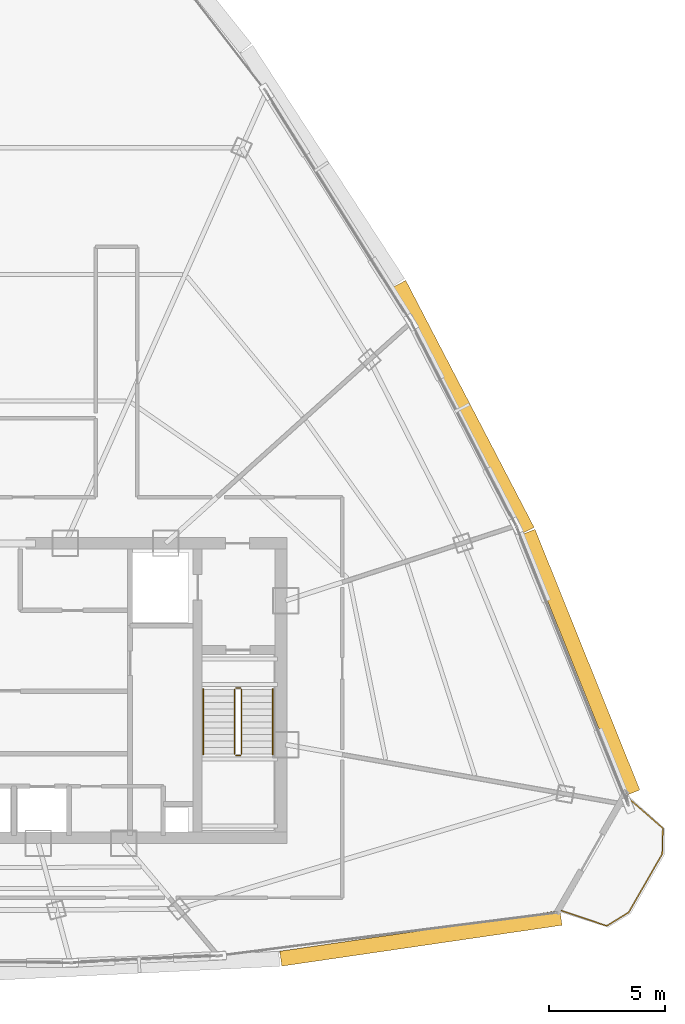
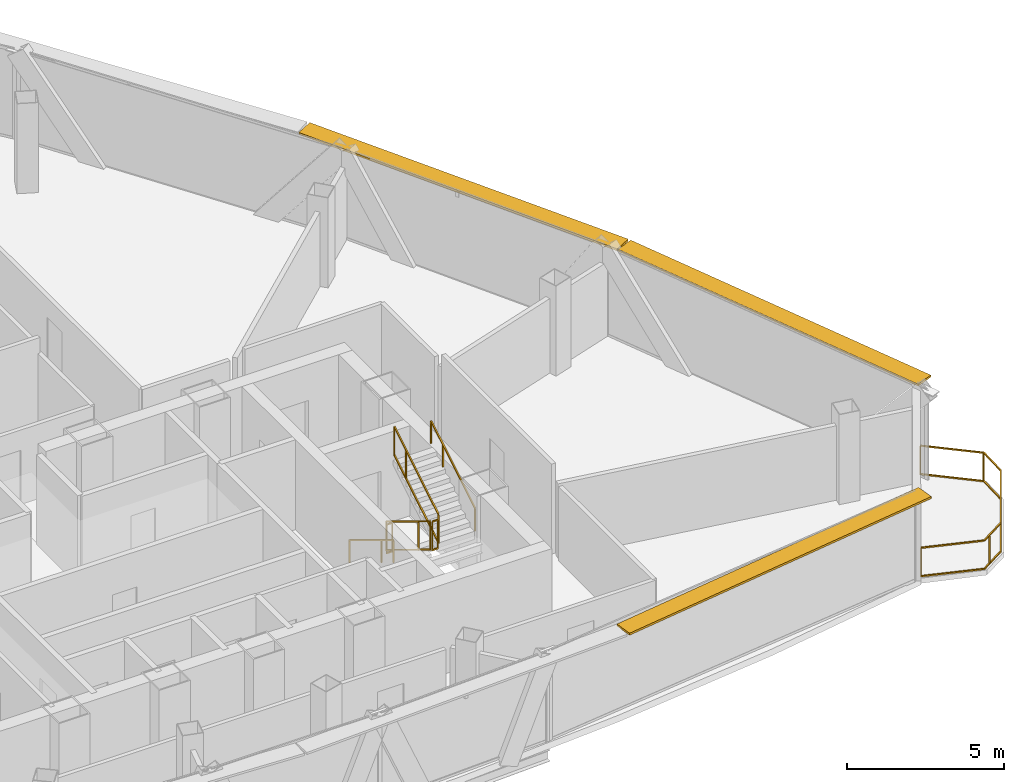
# One storey, part 29 of 30: 7 railings, 3 shading devices.
"""IFC4 building model written with IfcOpenShell, lengths in metres."""

from ifc_helpers import new_model, si_unit, direction, frame, origin, origin_2d, place, context, subcontext, project, spatial, rectangle, extrude, source, transform, mapped, material, layer, layer_set, type_object, element, save


model = new_model("IFC4")

# Units and contexts
model_context = context("Model", 3, precision=1e-05, world=origin(), true_north=direction((0.0, 1.0)))
body_context = subcontext(model_context, "Body", "Model", "MODEL_VIEW")
ifc_project = project(units=[si_unit("LENGTHUNIT", "METRE"), si_unit("AREAUNIT", "SQUARE_METRE"), si_unit("VOLUMEUNIT", "CUBIC_METRE"), si_unit("PLANEANGLEUNIT", "RADIAN"), si_unit("MASSUNIT", "GRAM", prefix="KILO"), si_unit("THERMODYNAMICTEMPERATUREUNIT", "KELVIN"), si_unit("POWERUNIT", "WATT")], contexts=[model_context])

# Site, building, storey
site_placement = place(None, origin())
site = spatial("IfcSite", under=ifc_project, at=site_placement, CompositionType="ELEMENT")
building_placement = place(site_placement, origin())
building = spatial("IfcBuilding", under=site, at=building_placement, Name="Yunzhuo Pagoda Commons", CompositionType="ELEMENT")
storey_placement = place(building_placement, frame((0.0, 0.0, 348.010009765625)))
storey = spatial("IfcBuildingStorey", under=building, at=storey_placement, Name="L87", CompositionType="ELEMENT", Elevation=348.010009765625)

# Railings
ifc_material = material(Name="Anodized aluminium 6063-T6", Category="aluminium")
railing_type_1 = type_object("IfcRailingType", Name="GR-ST2 Stair Well Guardrail 1160", PredefinedType="GUARDRAIL", material=ifc_material)
railing_1_placement = place(storey_placement, frame((58.199951171875, 33.89990234375, 0.17041015625)))
element("IfcRailing", 1, at=railing_1_placement, inside=storey, type_object=railing_type_1, Name="L87 ST2 stair guard 1", PredefinedType="GUARDRAIL", context=body_context, shape_type="SweptSolid", body=[
    extrude(rectangle(XDim=0.048095703125, YDim=0.048095703125, at=origin_2d()), frame((0.0, 0.0, 1.1259765625), z_axis=(0.0, -0.854149651119, 0.520027281489), x_axis=(1.0, 0.0, 0.0)), (0.0, 0.0, 1.0), 3.27783203125),
    extrude(rectangle(XDim=0.048095703125, YDim=0.048095703125, at=origin_2d()), frame((0.0, 0.0, 0.02392578125), z_axis=(0.0, -0.854149651119, 0.520027281489), x_axis=(1.0, 0.0, 0.0)), (0.0, 0.0, 1.0), 3.27783203125),
    extrude(rectangle(XDim=0.0419921875, YDim=0.0419921875, at=origin_2d()), origin(), (0.0, 0.0, 1.0), 1.101806640625),
    extrude(rectangle(XDim=0.0419921875, YDim=0.0419921875, at=origin_2d()), frame((0.0, -2.050048828125, 1.248046875)), (0.0, 0.0, 1.0), 1.101806640625),
    extrude(rectangle(XDim=0.0419921875, YDim=0.0419921875, at=origin_2d()), frame((0.0, -2.7998046875, 1.70458984375)), (0.0, 0.0, 1.0), 1.101806640625),
])
railing_2_placement = place(storey_placement, frame((58.25, 31.050048828125, 1.875)))
element("IfcRailing", 2, at=railing_2_placement, inside=storey, type_object=railing_type_1, Name="L87 ST2 stair guard 2", PredefinedType="GUARDRAIL", context=body_context, shape_type="SweptSolid", body=[
    extrude(rectangle(XDim=0.048095703125, YDim=0.048095703125, at=origin_2d()), frame((0.0, 0.0, 1.1259765625), z_axis=(1.0, 0.0, 0.0), x_axis=(0.0, 1.0, 0.0)), (0.0, 0.0, 1.0), 0.199951171875),
    extrude(rectangle(XDim=0.048095703125, YDim=0.048095703125, at=origin_2d()), frame((0.0, 0.0, 0.02392578125), z_axis=(1.0, 0.0, 0.0), x_axis=(0.0, 1.0, 0.0)), (0.0, 0.0, 1.0), 0.199951171875),
    extrude(rectangle(XDim=0.0419921875, YDim=0.0419921875, at=origin_2d()), origin(), (0.0, 0.0, 1.0), 1.101806640625),
    extrude(rectangle(XDim=0.0419921875, YDim=0.0419921875, at=origin_2d()), frame((0.199951171875, 0.0, 0.0)), (0.0, 0.0, 1.0), 1.101806640625),
])
railing_3_placement = place(storey_placement, frame((58.5, 31.10009765625, 2.04541015625)))
element("IfcRailing", 3, at=railing_3_placement, inside=storey, type_object=railing_type_1, Name="L87 ST2 stair guard 3", PredefinedType="GUARDRAIL", context=body_context, shape_type="SweptSolid", body=[
    extrude(rectangle(XDim=0.048095703125, YDim=0.048095703125, at=origin_2d()), frame((0.0, 0.0, 1.1259765625), z_axis=(0.0, 0.854149651119, 0.520027281489), x_axis=(-1.0, 0.0, 0.0)), (0.0, 0.0, 1.0), 3.27783203125),
    extrude(rectangle(XDim=0.048095703125, YDim=0.048095703125, at=origin_2d()), frame((0.0, 0.0, 0.02392578125), z_axis=(0.0, 0.854149651119, 0.520027281489), x_axis=(-1.0, 0.0, 0.0)), (0.0, 0.0, 1.0), 3.27783203125),
    extrude(rectangle(XDim=0.0419921875, YDim=0.0419921875, at=origin_2d()), origin(), (0.0, 0.0, 1.0), 1.101806640625),
    extrude(rectangle(XDim=0.0419921875, YDim=0.0419921875, at=origin_2d()), frame((0.0, 2.050048828125, 1.248046875)), (0.0, 0.0, 1.0), 1.101806640625),
    extrude(rectangle(XDim=0.0419921875, YDim=0.0419921875, at=origin_2d()), frame((0.0, 2.7998046875, 1.70458984375)), (0.0, 0.0, 1.0), 1.101806640625),
])
railing_4_placement = place(storey_placement, frame((58.25, 33.949951171875, 0.0)))
element("IfcRailing", 4, at=railing_4_placement, inside=storey, type_object=railing_type_1, Name="L87 ST2 stair guard 4", PredefinedType="GUARDRAIL", context=body_context, shape_type="SweptSolid", body=[
    extrude(rectangle(XDim=0.048095703125, YDim=0.048095703125, at=origin_2d()), frame((0.0, 0.0, 1.1259765625), z_axis=(1.0, 0.0, 0.0), x_axis=(0.0, 1.0, 0.0)), (0.0, 0.0, 1.0), 0.199951171875),
    extrude(rectangle(XDim=0.048095703125, YDim=0.048095703125, at=origin_2d()), frame((0.0, 0.0, 0.02392578125), z_axis=(1.0, 0.0, 0.0), x_axis=(0.0, 1.0, 0.0)), (0.0, 0.0, 1.0), 0.199951171875),
    extrude(rectangle(XDim=0.0419921875, YDim=0.0419921875, at=origin_2d()), origin(), (0.0, 0.0, 1.0), 1.101806640625),
    extrude(rectangle(XDim=0.0419921875, YDim=0.0419921875, at=origin_2d()), frame((0.199951171875, 0.0, 0.0)), (0.0, 0.0, 1.0), 1.101806640625),
])
railing_type_2 = type_object("IfcRailingType", Name="HR-ST2 Stair Handrail 900", PredefinedType="HANDRAIL", material=ifc_material)
railing_5_placement = place(storey_placement, frame((56.85009765625, 33.89990234375, 0.17041015625)))
element("IfcRailing", 5, at=railing_5_placement, inside=storey, type_object=railing_type_2, Name="L87 ST2 stair handrail 1", PredefinedType="HANDRAIL", context=body_context, shape_type="SweptSolid", body=[
    extrude(rectangle(XDim=0.048095703125, YDim=0.048095703125, at=origin_2d()), frame((0.0, 0.0, 0.8759765625), z_axis=(0.0, -0.854149651119, 0.520027281489), x_axis=(1.0, 0.0, 0.0)), (0.0, 0.0, 1.0), 3.27783203125),
    extrude(rectangle(XDim=0.0419921875, YDim=0.0419921875, at=origin_2d()), origin(), (0.0, 0.0, 1.0), 0.851806640625),
    extrude(rectangle(XDim=0.0419921875, YDim=0.0419921875, at=origin_2d()), frame((0.0, -2.050048828125, 1.248046875)), (0.0, 0.0, 1.0), 0.851806640625),
    extrude(rectangle(XDim=0.0419921875, YDim=0.0419921875, at=origin_2d()), frame((0.0, -2.7998046875, 1.70458984375)), (0.0, 0.0, 1.0), 0.851806640625),
])
railing_6_placement = place(storey_placement, frame((59.85009765625, 31.10009765625, 2.04541015625)))
element("IfcRailing", 6, at=railing_6_placement, inside=storey, type_object=railing_type_2, Name="L87 ST2 stair handrail 2", PredefinedType="HANDRAIL", context=body_context, shape_type="SweptSolid", body=[
    extrude(rectangle(XDim=0.048095703125, YDim=0.048095703125, at=origin_2d()), frame((0.0, 0.0, 0.8759765625), z_axis=(0.0, 0.854149651119, 0.520027281489), x_axis=(-1.0, 0.0, 0.0)), (0.0, 0.0, 1.0), 3.27783203125),
    extrude(rectangle(XDim=0.0419921875, YDim=0.0419921875, at=origin_2d()), origin(), (0.0, 0.0, 1.0), 0.851806640625),
    extrude(rectangle(XDim=0.0419921875, YDim=0.0419921875, at=origin_2d()), frame((0.0, 2.050048828125, 1.248046875)), (0.0, 0.0, 1.0), 0.851806640625),
    extrude(rectangle(XDim=0.0419921875, YDim=0.0419921875, at=origin_2d()), frame((0.0, 2.7998046875, 1.70458984375)), (0.0, 0.0, 1.0), 0.851806640625),
])
railing_type_3 = type_object("IfcRailingType", Name="RL-BAL1 Exterior Terrace & Balcony Balustrade 1150", PredefinedType="BALUSTRADE", material=ifc_material)
railing_7_placement = place(storey_placement, frame((72.31298828125, 24.346435546875, 0.0)))
element("IfcRailing", 7, at=railing_7_placement, inside=storey, type_object=railing_type_3, Name="L87 corner balcony balustrade V2", PredefinedType="BALUSTRADE", context=body_context, shape_type="SweptSolid", body=[
    extrude(rectangle(XDim=0.048095703125, YDim=0.048095703125, at=origin_2d()), frame((0.0, 0.0, 1.1259765625), z_axis=(0.947419062147, -0.319995501031, 0.0), x_axis=(0.319995501031, 0.947419062147, 0.0)), (0.0, 0.0, 1.0), 2.05908203125),
    extrude(rectangle(XDim=0.048095703125, YDim=0.048095703125, at=origin_2d()), frame((0.0, 0.0, 0.02392578125), z_axis=(0.947419062147, -0.319995501031, 0.0), x_axis=(0.319995501031, 0.947419062147, 0.0)), (0.0, 0.0, 1.0), 2.05908203125),
    extrude(rectangle(XDim=0.048095703125, YDim=0.048095703125, at=origin_2d()), frame((1.950927734375, -0.658935546875, 1.1259765625), z_axis=(0.851499755437, 0.524355000444, 0.0), x_axis=(-0.524355000444, 0.851499755437, 0.0)), (0.0, 0.0, 1.0), 1.1103515625),
    extrude(rectangle(XDim=0.048095703125, YDim=0.048095703125, at=origin_2d()), frame((1.950927734375, -0.658935546875, 0.02392578125), z_axis=(0.851499755437, 0.524355000444, 0.0), x_axis=(-0.524355000444, 0.851499755437, 0.0)), (0.0, 0.0, 1.0), 1.1103515625),
    extrude(rectangle(XDim=0.048095703125, YDim=0.048095703125, at=origin_2d()), frame((2.896484375, -0.07666015625, 1.1259765625), z_axis=(0.497899056357, 0.867234991037, 0.0), x_axis=(-0.867234991037, 0.497899056357, 0.0)), (0.0, 0.0, 1.0), 2.9111328125),
    extrude(rectangle(XDim=0.048095703125, YDim=0.048095703125, at=origin_2d()), frame((2.896484375, -0.07666015625, 0.02392578125), z_axis=(0.497899056357, 0.867234991037, 0.0), x_axis=(-0.867234991037, 0.497899056357, 0.0)), (0.0, 0.0, 1.0), 2.9111328125),
    extrude(rectangle(XDim=0.048095703125, YDim=0.048095703125, at=origin_2d()), frame((4.345947265625, 2.447998046875, 1.1259765625), z_axis=(0.023750447686, 0.999717918332, 0.0), x_axis=(-0.999717918332, 0.023750447686, 0.0)), (0.0, 0.0, 1.0), 1.110107421875),
    extrude(rectangle(XDim=0.048095703125, YDim=0.048095703125, at=origin_2d()), frame((4.345947265625, 2.447998046875, 0.02392578125), z_axis=(0.023750447686, 0.999717918332, 0.0), x_axis=(-0.999717918332, 0.023750447686, 0.0)), (0.0, 0.0, 1.0), 1.110107421875),
    extrude(rectangle(XDim=0.048095703125, YDim=0.048095703125, at=origin_2d()), frame((4.372314453125, 3.557861328125, 1.1259765625), z_axis=(-0.753984993137, 0.656891642605, 0.0), x_axis=(-0.656891642605, -0.753984993137, 0.0)), (0.0, 0.0, 1.0), 2.059326171875),
    extrude(rectangle(XDim=0.048095703125, YDim=0.048095703125, at=origin_2d()), frame((4.372314453125, 3.557861328125, 0.02392578125), z_axis=(-0.753984993137, 0.656891642605, 0.0), x_axis=(-0.656891642605, -0.753984993137, 0.0)), (0.0, 0.0, 1.0), 2.059326171875),
    extrude(rectangle(XDim=0.0419921875, YDim=0.0419921875, at=origin_2d()), origin(), (0.0, 0.0, 1.0), 1.101806640625),
    extrude(rectangle(XDim=0.0419921875, YDim=0.0419921875, at=origin_2d()), frame((2.2412109375, -0.480224609375, 0.0)), (0.0, 0.0, 1.0), 1.101806640625),
    extrude(rectangle(XDim=0.0419921875, YDim=0.0419921875, at=origin_2d()), frame((3.708251953125, 1.337158203125, 0.0)), (0.0, 0.0, 1.0), 1.101806640625),
    extrude(rectangle(XDim=0.0419921875, YDim=0.0419921875, at=origin_2d()), frame((4.365478515625, 3.563720703125, 0.0)), (0.0, 0.0, 1.0), 1.101806640625),
    extrude(rectangle(XDim=0.0419921875, YDim=0.0419921875, at=origin_2d()), frame((2.819580078125, 4.91064453125, 0.0)), (0.0, 0.0, 1.0), 1.101806640625),
])

# Shading devices
ifc_layer = layer(ifc_material, 0.080078125)
ifc_layer_set = layer_set([ifc_layer], Name="Anodized aluminium 6063-T6")
shading_device_type = type_object("IfcShadingDeviceType", Name="SH-SUN1 Pagoda Horizontal Sunshade Eave 650", PredefinedType="USERDEFINED", material=ifc_layer_set)
shared_shape_1 = source(origin(), body_context, "Body", "SweptSolid", [
    extrude(rectangle(XDim=12.22509765625, YDim=0.64990234375, at=origin_2d()), origin(), (0.0, 0.0, 1.0), 0.080078125),
])
shading_device_1_placement = place(storey_placement, frame((66.239501953125, 23.15380859375, 3.409912109375), z_axis=(0.0, 0.0, 1.0), x_axis=(0.989510666697, 0.144459823108, 0.0)))
element("IfcShadingDevice", 8, at=shading_device_1_placement, inside=storey, type_object=shading_device_type, Name="L87 horizontal pagoda sunshade eave F1.4", ObjectType="SUNSHADE", PredefinedType="USERDEFINED", context=body_context, shape_type="MappedRepresentation", body=[
    mapped(shared_shape_1, transform((0.0, 0.0, 0.0), scale=1.0)),
])
shared_shape_2 = source(origin(), body_context, "Body", "SweptSolid", [
    extrude(rectangle(XDim=12.126953125, YDim=0.64990234375, at=origin_2d()), origin(), (0.0, 0.0, 1.0), 0.080078125),
])
shading_device_2_placement = place(storey_placement, frame((73.1259765625, 35.060302734375, 3.409912109375), z_axis=(0.0, 0.0, 1.0), x_axis=(-0.373003976317, 0.927829743893, 0.0)))
element("IfcShadingDevice", 9, at=shading_device_2_placement, inside=storey, type_object=shading_device_type, Name="L87 horizontal pagoda sunshade eave F2.1", ObjectType="SUNSHADE", PredefinedType="USERDEFINED", context=body_context, shape_type="MappedRepresentation", body=[
    mapped(shared_shape_2, transform((0.0, 0.0, 0.0), scale=1.0)),
])
shared_shape_3 = source(origin(), body_context, "Body", "SweptSolid", [
    extrude(rectangle(XDim=12.01171875, YDim=0.64990234375, at=origin_2d()), origin(), (0.0, 0.0, 1.0), 0.080078125),
])
shading_device_3_placement = place(storey_placement, frame((68.068115234375, 46.07275390625, 3.409912109375), z_axis=(0.0, 0.0, 1.0), x_axis=(-0.461191196783, 0.88730078328, 0.0)))
element("IfcShadingDevice", 10, at=shading_device_3_placement, inside=storey, type_object=shading_device_type, Name="L87 horizontal pagoda sunshade eave F2.2", ObjectType="SUNSHADE", PredefinedType="USERDEFINED", context=body_context, shape_type="MappedRepresentation", body=[
    mapped(shared_shape_3, transform((0.0, 0.0, 0.0), scale=1.0)),
])

save(model, "model.ifc")
